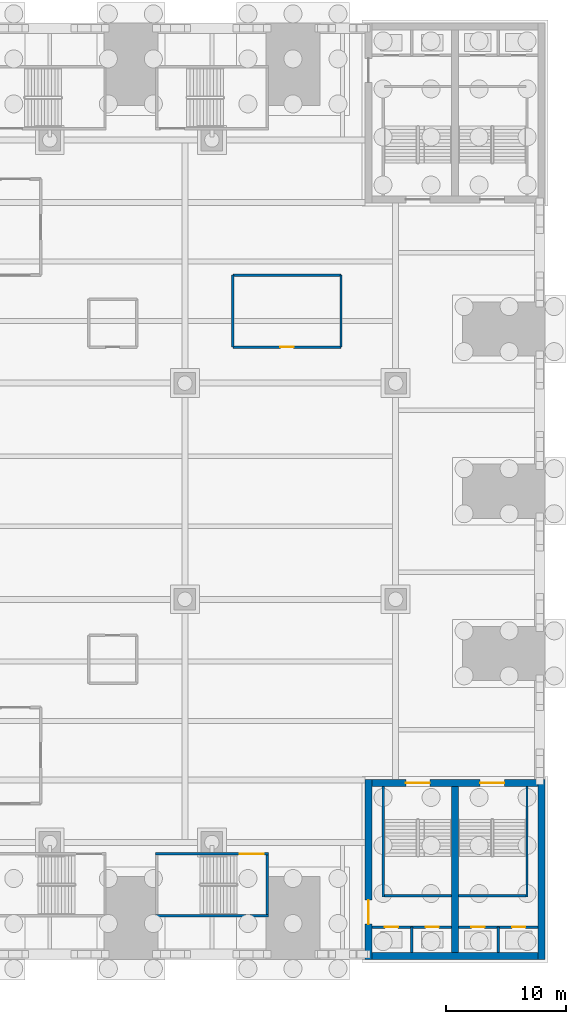
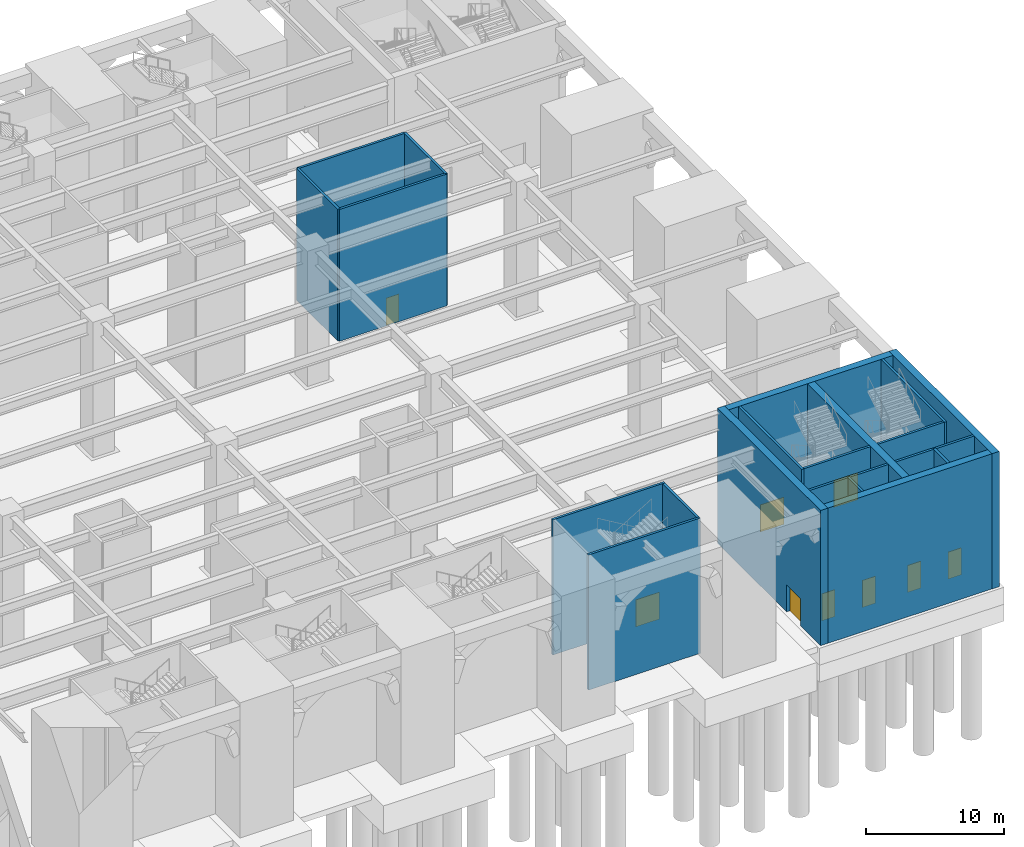
# One storey, part 9 of 34: 20 walls, 9 doors, 9 openings.
"""IFC4 building model written with IfcOpenShell, lengths in metres."""

from ifc_helpers import new_model, si_unit, direction, frame, frame_2d, origin, place, context, subcontext, project, spatial, rectangle, extrude, material, layer, layer_set, type_object, element, fill, save


model = new_model("IFC4")

# Units and contexts
model_context = context("Model", 3, precision=1e-05, world=origin(), true_north=direction((0.0, 1.0)))
body_context = subcontext(model_context, "Body", "Model", "MODEL_VIEW")
ifc_project = project(units=[si_unit("LENGTHUNIT", "METRE"), si_unit("AREAUNIT", "SQUARE_METRE"), si_unit("VOLUMEUNIT", "CUBIC_METRE"), si_unit("PLANEANGLEUNIT", "RADIAN"), si_unit("MASSUNIT", "GRAM", prefix="KILO")], contexts=[model_context])

# Site, building, storey
site_placement = place(None, origin())
site = spatial("IfcSite", under=ifc_project, at=site_placement, CompositionType="ELEMENT")
building_placement = place(site_placement, origin())
building = spatial("IfcBuilding", under=site, at=building_placement, Name="Corbelhall Arena Tower", CompositionType="ELEMENT")
storey_placement = place(building_placement, origin())
storey = spatial("IfcBuildingStorey", under=building, at=storey_placement, Name="L00", CompositionType="ELEMENT", Elevation=0.0)

# Wall, opening, door
ifc_material_1 = material(Name="Gypsum board on steel studs", Category="steel")
ifc_layer_1 = layer(ifc_material_1, 0.199951171875)
ifc_layer_set_1 = layer_set([ifc_layer_1], Name="AR-ROOM-WALL")
wall_type_1 = type_object("IfcWallType", Name="AR-ROOM-WALL", PredefinedType="PARTITIONING", material=ifc_layer_set_1)
wall_1_placement = place(storey_placement, frame((22.0, 12.0, 0.0), z_axis=(0.0, 0.0, 1.0), x_axis=(1.0, 0.0, 0.0)))
wall_1 = element("IfcWall", 1, at=wall_1_placement, inside=storey, type_object=wall_type_1, Name="Security screening room wall", PredefinedType="PARTITIONING", context=body_context, shape_type="SweptSolid", body=[
    extrude(rectangle(XDim=9.0, YDim=0.199951171875, at=frame_2d((4.5, 0.0))), origin(), (0.0, 0.0, 1.0), 11.699951171875),
])
opening_1_placement = place(wall_1_placement, frame((3.949951171875, 0.0, 0.0)))
opening_1 = element("IfcOpeningElement", 2, at=opening_1_placement, cuts=wall_1, Name="Opening DA0319", PredefinedType="OPENING", context=body_context, shape_type="SweptSolid", body=[
    extrude(rectangle(XDim=1.10009765625, YDim=2.39990234375, at=frame_2d((0.550048828125, 1.199951171875))), frame((0.0, 0.10009765625, 0.0), z_axis=(0.0, -1.0, 0.0), x_axis=(1.0, 0.0, 0.0)), (0.0, 0.0, 1.0), 0.199951171875),
])
ifc_material_2 = material(Name="Timber", Category="wood")
door_type_1 = type_object("IfcDoorType", Name="AR-ROOM-DOOR", OperationType="DOUBLE_DOOR_SINGLE_SWING", PredefinedType="DOOR", material=ifc_material_2)
door_1_placement = place(opening_1_placement, origin())
door_1 = element("IfcDoor", 3, at=door_1_placement, inside=storey, type_object=door_type_1, Name="Security screening room door", OperationType="DOUBLE_DOOR_SINGLE_SWING", OverallHeight=2.39990234375, OverallWidth=1.10009765625, PredefinedType="DOOR", context=body_context, shape_type="SweptSolid", body=[
    extrude(rectangle(XDim=1.10009765625, YDim=2.39990234375, at=frame_2d((0.550048828125, 1.199951171875))), frame((0.0, 0.02490234375, 0.0), z_axis=(0.0, -1.0, 0.0), x_axis=(1.0, 0.0, 0.0)), (0.0, 0.0, 1.0), 0.050048828125),
])
fill(opening_1, door_1)

# Walls
wall_2_placement = place(storey_placement, frame((31.0, 18.0, 0.0), z_axis=(0.0, 0.0, 1.0), x_axis=(-1.0, 0.0, 0.0)))
element("IfcWall", 4, at=wall_2_placement, inside=storey, type_object=wall_type_1, Name="Security screening room wall", PredefinedType="PARTITIONING", context=body_context, shape_type="SweptSolid", body=[
    extrude(rectangle(XDim=9.0, YDim=0.199951171875, at=frame_2d((4.5, 0.0))), origin(), (0.0, 0.0, 1.0), 11.699951171875),
])
for number, where, z_axis, x_axis, name in (
    (5, (22.0, 18.0, 0.0), (0.0, 0.0, 1.0), (0.0, -1.0, 0.0), "Security screening room wall"),
    (6, (31.0, 12.0, 0.0), (0.0, 0.0, 1.0), (0.0, 1.0, 0.0), "Security screening room wall"),
):
    element("IfcWall", number, at=place(storey_placement, frame(where, z_axis=z_axis, x_axis=x_axis)), inside=storey, type_object=wall_type_1, Name=name, PredefinedType="PARTITIONING", context=body_context, shape_type="SweptSolid", body=[
        extrude(rectangle(XDim=6.0, YDim=0.199951171875, at=frame_2d((3.0, 0.0))), origin(), (0.0, 0.0, 1.0), 11.699951171875),
    ])

# Wall, openings, doors
ifc_material_3 = material(Name="Reinforced concrete C40/50", Category="concrete")
ifc_layer_2 = layer(ifc_material_3, 0.199951171875)
ifc_layer_set_2 = layer_set([ifc_layer_2], Name="AR-SHAFT-WALL")
wall_type_2 = type_object("IfcWallType", Name="AR-SHAFT-WALL", PredefinedType="SHEAR", material=ifc_layer_set_2)
wall_3_placement = place(storey_placement, frame((33.60009765625, -36.300048828125, 0.0), z_axis=(0.0, 0.0, 1.0), x_axis=(1.0, 0.0, 0.0)))
wall_3 = element("IfcWall", 7, at=wall_3_placement, inside=storey, type_object=wall_type_2, Name="Lift lobby wall SE", PredefinedType="SHEAR", context=body_context, shape_type="SweptSolid", body=[
    extrude(rectangle(XDim=6.599853515625, YDim=0.199951171875, at=frame_2d((3.2998046875, 0.0))), origin(), (0.0, 0.0, 1.0), 12.0),
])
opening_2_placement = place(wall_3_placement, frame((1.050048828125, 0.0, 0.0)))
opening_2 = element("IfcOpeningElement", 8, at=opening_2_placement, cuts=wall_3, Name="Opening LD0205", PredefinedType="OPENING", context=body_context, shape_type="SweptSolid", body=[
    extrude(rectangle(XDim=1.10009765625, YDim=2.39990234375, at=frame_2d((0.550048828125, 1.199951171875))), frame((0.0, 0.10009765625, 0.0), z_axis=(0.0, -1.0, 0.0), x_axis=(1.0, 0.0, 0.0)), (0.0, 0.0, 1.0), 0.199951171875),
])
opening_3_placement = place(wall_3_placement, frame((4.449951171875, 0.0, 0.0)))
opening_3 = element("IfcOpeningElement", 9, at=opening_3_placement, cuts=wall_3, Name="Opening LD0206", PredefinedType="OPENING", context=body_context, shape_type="SweptSolid", body=[
    extrude(rectangle(XDim=1.10009765625, YDim=2.39990234375, at=frame_2d((0.550048828125, 1.199951171875))), frame((0.0, 0.10009765625, 0.0), z_axis=(0.0, -1.0, 0.0), x_axis=(1.0, 0.0, 0.0)), (0.0, 0.0, 1.0), 0.199951171875),
])
ifc_material_4 = material(Name="Stainless steel A4", Category="steel")
door_type_2 = type_object("IfcDoorType", Name="AR-LANDING-DOOR", OperationType="DOUBLE_DOOR_SLIDING", PredefinedType="DOOR", material=ifc_material_4)
door_2_placement = place(opening_2_placement, frame((1.10009765625, 0.0, 0.0), z_axis=(0.0, 0.0, 1.0), x_axis=(-1.0, 0.0, 0.0)))
door_2 = element("IfcDoor", 10, at=door_2_placement, inside=storey, type_object=door_type_2, Name="Landing door SE LF1 L00", OperationType="DOUBLE_DOOR_SLIDING", OverallHeight=2.39990234375, OverallWidth=1.10009765625, PredefinedType="DOOR", context=body_context, shape_type="SweptSolid", body=[
    extrude(rectangle(XDim=1.10009765625, YDim=2.39990234375, at=frame_2d((0.550048828125, 1.199951171875))), frame((0.0, 0.02490234375, 0.0), z_axis=(0.0, -1.0, 0.0), x_axis=(1.0, 0.0, 0.0)), (0.0, 0.0, 1.0), 0.050048828125),
])
fill(opening_2, door_2)
door_3_placement = place(opening_3_placement, frame((1.10009765625, 0.0, 0.0), z_axis=(0.0, 0.0, 1.0), x_axis=(-1.0, 0.0, 0.0)))
door_3 = element("IfcDoor", 11, at=door_3_placement, inside=storey, type_object=door_type_2, Name="Landing door SE LF2 L00", OperationType="DOUBLE_DOOR_SLIDING", OverallHeight=2.39990234375, OverallWidth=1.10009765625, PredefinedType="DOOR", context=body_context, shape_type="SweptSolid", body=[
    extrude(rectangle(XDim=1.10009765625, YDim=2.39990234375, at=frame_2d((0.550048828125, 1.199951171875))), frame((0.0, 0.02490234375, 0.0), z_axis=(0.0, -1.0, 0.0), x_axis=(1.0, 0.0, 0.0)), (0.0, 0.0, 1.0), 0.050048828125),
])
fill(opening_3, door_3)

wall_4_placement = place(storey_placement, frame((40.800048828125, -36.300048828125, 0.0), z_axis=(0.0, 0.0, 1.0), x_axis=(1.0, 0.0, 0.0)))
wall_4 = element("IfcWall", 12, at=wall_4_placement, inside=storey, type_object=wall_type_2, Name="Lift lobby wall SE", PredefinedType="SHEAR", context=body_context, shape_type="SweptSolid", body=[
    extrude(rectangle(XDim=6.599853515625, YDim=0.199951171875, at=frame_2d((3.2998046875, 0.0))), origin(), (0.0, 0.0, 1.0), 12.0),
])
opening_4_placement = place(wall_4_placement, frame((1.050048828125, 0.0, 0.0)))
opening_4 = element("IfcOpeningElement", 13, at=opening_4_placement, cuts=wall_4, Name="Opening LD0207", PredefinedType="OPENING", context=body_context, shape_type="SweptSolid", body=[
    extrude(rectangle(XDim=1.10009765625, YDim=2.39990234375, at=frame_2d((0.550048828125, 1.199951171875))), frame((0.0, 0.10009765625, 0.0), z_axis=(0.0, -1.0, 0.0), x_axis=(1.0, 0.0, 0.0)), (0.0, 0.0, 1.0), 0.199951171875),
])
opening_5_placement = place(wall_4_placement, frame((4.449951171875, 0.0, 0.0)))
opening_5 = element("IfcOpeningElement", 14, at=opening_5_placement, cuts=wall_4, Name="Opening LD0208", PredefinedType="OPENING", context=body_context, shape_type="SweptSolid", body=[
    extrude(rectangle(XDim=1.10009765625, YDim=2.39990234375, at=frame_2d((0.550048828125, 1.199951171875))), frame((0.0, 0.10009765625, 0.0), z_axis=(0.0, -1.0, 0.0), x_axis=(1.0, 0.0, 0.0)), (0.0, 0.0, 1.0), 0.199951171875),
])
door_4_placement = place(opening_4_placement, frame((1.10009765625, 0.0, 0.0), z_axis=(0.0, 0.0, 1.0), x_axis=(-1.0, 0.0, 0.0)))
door_4 = element("IfcDoor", 15, at=door_4_placement, inside=storey, type_object=door_type_2, Name="Landing door SE LF3 L00", OperationType="DOUBLE_DOOR_SLIDING", OverallHeight=2.39990234375, OverallWidth=1.10009765625, PredefinedType="DOOR", context=body_context, shape_type="SweptSolid", body=[
    extrude(rectangle(XDim=1.10009765625, YDim=2.39990234375, at=frame_2d((0.550048828125, 1.199951171875))), frame((0.0, 0.02490234375, 0.0), z_axis=(0.0, -1.0, 0.0), x_axis=(1.0, 0.0, 0.0)), (0.0, 0.0, 1.0), 0.050048828125),
])
fill(opening_4, door_4)
door_5_placement = place(opening_5_placement, frame((1.10009765625, 0.0, 0.0), z_axis=(0.0, 0.0, 1.0), x_axis=(-1.0, 0.0, 0.0)))
door_5 = element("IfcDoor", 16, at=door_5_placement, inside=storey, type_object=door_type_2, Name="Landing door SE LF4 L00", OperationType="DOUBLE_DOOR_SLIDING", OverallHeight=2.39990234375, OverallWidth=1.10009765625, PredefinedType="DOOR", context=body_context, shape_type="SweptSolid", body=[
    extrude(rectangle(XDim=1.10009765625, YDim=2.39990234375, at=frame_2d((0.550048828125, 1.199951171875))), frame((0.0, 0.02490234375, 0.0), z_axis=(0.0, -1.0, 0.0), x_axis=(1.0, 0.0, 0.0)), (0.0, 0.0, 1.0), 0.050048828125),
])
fill(opening_5, door_5)

# Walls
for number, where, z_axis, x_axis, name in (
    (17, (36.89990234375, -38.39990234375, 0.0), (0.0, 0.0, 1.0), (0.0, 1.0, 0.0), "Shaft wall SE"),
    (18, (44.10009765625, -38.39990234375, 0.0), (0.0, 0.0, 1.0), (0.0, 1.0, 0.0), "Shaft wall SE"),
):
    element("IfcWall", number, at=place(storey_placement, frame(where, z_axis=z_axis, x_axis=x_axis)), inside=storey, type_object=wall_type_2, Name=name, PredefinedType="SHEAR", context=body_context, shape_type="SweptSolid", body=[
        extrude(rectangle(XDim=2.099853515625, YDim=0.199951171875, at=frame_2d((1.0498046875, 0.0))), origin(), (0.0, 0.0, 1.0), 12.0),
    ])

# Wall, opening, door
ifc_layer_3 = layer(ifc_material_3, 0.199951171875)
ifc_layer_set_3 = layer_set([ifc_layer_3], Name="AR-STAIR-WALL")
wall_type_3 = type_object("IfcWallType", Name="AR-STAIR-WALL", PredefinedType="SOLIDWALL", material=ifc_layer_set_3)
wall_5_placement = place(storey_placement, frame((15.550048828125, -30.199951171875, 0.0), z_axis=(0.0, 0.0, 1.0), x_axis=(1.0, 0.0, 0.0)))
wall_5 = element("IfcWall", 19, at=wall_5_placement, inside=storey, type_object=wall_type_3, Name="Stair AS16 wall", PredefinedType="SOLIDWALL", context=body_context, shape_type="SweptSolid", body=[
    extrude(rectangle(XDim=9.39990234375, YDim=0.199951171875, at=frame_2d((4.699951171875, 0.0))), origin(), (0.0, 0.0, 1.0), 12.0),
])
opening_6_placement = place(wall_5_placement, frame((7.0, 0.0, 0.0)))
opening_6 = element("IfcOpeningElement", 20, at=opening_6_placement, cuts=wall_5, Name="Opening DA0043", PredefinedType="OPENING", context=body_context, shape_type="SweptSolid", body=[
    extrude(rectangle(XDim=2.0, YDim=2.39990234375, at=frame_2d((1.0, 1.199951171875))), frame((0.0, 0.10009765625, 0.0), z_axis=(0.0, -1.0, 0.0), x_axis=(1.0, 0.0, 0.0)), (0.0, 0.0, 1.0), 0.199951171875),
])
ifc_material_5 = material(Name="Steel and glass", Category="steel")
door_type_3 = type_object("IfcDoorType", Name="AR-EXIT-DOOR", OperationType="DOUBLE_DOOR_SINGLE_SWING", PredefinedType="DOOR", material=ifc_material_5)
door_6_placement = place(opening_6_placement, origin())
door_6 = element("IfcDoor", 21, at=door_6_placement, inside=storey, type_object=door_type_3, Name="Stair AS16 door", OperationType="DOUBLE_DOOR_SINGLE_SWING", OverallHeight=2.39990234375, OverallWidth=2.0, PredefinedType="DOOR", context=body_context, shape_type="SweptSolid", body=[
    extrude(rectangle(XDim=2.0, YDim=2.39990234375, at=frame_2d((1.0, 1.199951171875))), frame((0.0, 0.02490234375, 0.0), z_axis=(0.0, -1.0, 0.0), x_axis=(1.0, 0.0, 0.0)), (0.0, 0.0, 1.0), 0.050048828125),
])
fill(opening_6, door_6)

# Walls
wall_6_placement = place(storey_placement, frame((15.550048828125, -35.35009765625, 0.0), z_axis=(0.0, 0.0, 1.0), x_axis=(1.0, 0.0, 0.0)))
element("IfcWall", 22, at=wall_6_placement, inside=storey, type_object=wall_type_3, Name="Stair AS16 wall", PredefinedType="SOLIDWALL", context=body_context, shape_type="SweptSolid", body=[
    extrude(rectangle(XDim=9.39990234375, YDim=0.199951171875, at=frame_2d((4.699951171875, 0.0))), origin(), (0.0, 0.0, 1.0), 12.0),
])
wall_7_placement = place(storey_placement, frame((24.85009765625, -35.25, 0.0), z_axis=(0.0, 0.0, 1.0), x_axis=(0.0, 1.0, 0.0)))
element("IfcWall", 23, at=wall_7_placement, inside=storey, type_object=wall_type_3, Name="Stair AS16 wall", PredefinedType="SOLIDWALL", context=body_context, shape_type="SweptSolid", body=[
    extrude(rectangle(XDim=4.949951171875, YDim=0.199951171875, at=frame_2d((2.47509765625, 0.0))), origin(), (0.0, 0.0, 1.0), 12.0),
])
wall_8_placement = place(storey_placement, frame((34.510009765625, -33.800048828125, 0.0), z_axis=(0.0, 0.0, 1.0), x_axis=(0.0, 1.0, 0.0)))
element("IfcWall", 24, at=wall_8_placement, inside=storey, type_object=wall_type_3, Name="Stair AS5 wall", PredefinedType="SOLIDWALL", context=body_context, shape_type="SweptSolid", body=[
    extrude(rectangle(XDim=9.199951171875, YDim=0.199951171875, at=frame_2d((4.60009765625, 0.0))), origin(), (0.0, 0.0, 1.0), 12.0),
])
wall_9_placement = place(storey_placement, frame((34.610107421875, -33.699951171875, 0.0), z_axis=(0.0, 0.0, 1.0), x_axis=(1.0, 0.0, 0.0)))
element("IfcWall", 25, at=wall_9_placement, inside=storey, type_object=wall_type_3, Name="Stair AS5 wall", PredefinedType="SOLIDWALL", context=body_context, shape_type="SweptSolid", body=[
    extrude(rectangle(XDim=5.58984375, YDim=0.199951171875, at=frame_2d((2.794921875, 0.0))), origin(), (0.0, 0.0, 1.0), 12.0),
])
wall_10_placement = place(storey_placement, frame((46.489990234375, -33.800048828125, 0.0), z_axis=(0.0, 0.0, 1.0), x_axis=(0.0, 1.0, 0.0)))
element("IfcWall", 26, at=wall_10_placement, inside=storey, type_object=wall_type_3, Name="Stair AS6 wall", PredefinedType="SOLIDWALL", context=body_context, shape_type="SweptSolid", body=[
    extrude(rectangle(XDim=9.199951171875, YDim=0.199951171875, at=frame_2d((4.60009765625, 0.0))), origin(), (0.0, 0.0, 1.0), 12.0),
])
wall_11_placement = place(storey_placement, frame((40.800048828125, -33.699951171875, 0.0), z_axis=(0.0, 0.0, 1.0), x_axis=(1.0, 0.0, 0.0)))
element("IfcWall", 27, at=wall_11_placement, inside=storey, type_object=wall_type_3, Name="Stair AS6 wall", PredefinedType="SOLIDWALL", context=body_context, shape_type="SweptSolid", body=[
    extrude(rectangle(XDim=5.58984375, YDim=0.199951171875, at=frame_2d((2.794921875, 0.0))), origin(), (0.0, 0.0, 1.0), 12.0),
])

# Wall, openings, doors
ifc_material_6 = material(Name="Concrete C80/95", Category="concrete")
ifc_layer_4 = layer(ifc_material_6, 0.60009765625)
ifc_layer_set_4 = layer_set([ifc_layer_4], Name="PO-CORE-WALL")
wall_type_4 = type_object("IfcWallType", Name="PO-CORE-WALL", PredefinedType="SHEAR", material=ifc_layer_set_4)
wall_12_placement = place(storey_placement, frame((33.60009765625, -24.300048828125, 0.0), z_axis=(0.0, 0.0, 1.0), x_axis=(1.0, 0.0, 0.0)))
wall_12 = element("IfcWall", 28, at=wall_12_placement, inside=storey, type_object=wall_type_4, Name="CORE SE WALL N L00", PredefinedType="SHEAR", context=body_context, shape_type="SweptSolid", body=[
    extrude(rectangle(XDim=13.7998046875, YDim=0.60009765625, at=frame_2d((6.89990234375, 0.0))), origin(), (0.0, 0.0, 1.0), 12.0),
])
opening_7_placement = place(wall_12_placement, frame((2.804931640625, 0.0, 0.0)))
opening_7 = element("IfcOpeningElement", 29, at=opening_7_placement, cuts=wall_12, Name="Opening DA0085", PredefinedType="OPENING", context=body_context, shape_type="SweptSolid", body=[
    extrude(rectangle(XDim=2.0, YDim=2.39990234375, at=frame_2d((1.0, 1.199951171875))), frame((0.0, 0.300048828125, 0.0), z_axis=(0.0, -1.0, 0.0), x_axis=(1.0, 0.0, 0.0)), (0.0, 0.0, 1.0), 0.60009765625),
])
opening_8_placement = place(wall_12_placement, frame((8.9951171875, 0.0, 0.0)))
opening_8 = element("IfcOpeningElement", 30, at=opening_8_placement, cuts=wall_12, Name="Opening DA0093", PredefinedType="OPENING", context=body_context, shape_type="SweptSolid", body=[
    extrude(rectangle(XDim=2.0, YDim=2.39990234375, at=frame_2d((1.0, 1.199951171875))), frame((0.0, 0.300048828125, 0.0), z_axis=(0.0, -1.0, 0.0), x_axis=(1.0, 0.0, 0.0)), (0.0, 0.0, 1.0), 0.60009765625),
])
door_7_placement = place(opening_7_placement, origin())
door_7 = element("IfcDoor", 31, at=door_7_placement, inside=storey, type_object=door_type_3, Name="Stair AS5 door", OperationType="DOUBLE_DOOR_SINGLE_SWING", OverallHeight=2.39990234375, OverallWidth=2.0, PredefinedType="DOOR", context=body_context, shape_type="SweptSolid", body=[
    extrude(rectangle(XDim=2.0, YDim=2.39990234375, at=frame_2d((1.0, 1.199951171875))), frame((0.0, 0.02490234375, 0.0), z_axis=(0.0, -1.0, 0.0), x_axis=(1.0, 0.0, 0.0)), (0.0, 0.0, 1.0), 0.050048828125),
])
fill(opening_7, door_7)
door_8_placement = place(opening_8_placement, origin())
door_8 = element("IfcDoor", 32, at=door_8_placement, inside=storey, type_object=door_type_3, Name="Stair AS6 door", OperationType="DOUBLE_DOOR_SINGLE_SWING", OverallHeight=2.39990234375, OverallWidth=2.0, PredefinedType="DOOR", context=body_context, shape_type="SweptSolid", body=[
    extrude(rectangle(XDim=2.0, YDim=2.39990234375, at=frame_2d((1.0, 1.199951171875))), frame((0.0, 0.02490234375, 0.0), z_axis=(0.0, -1.0, 0.0), x_axis=(1.0, 0.0, 0.0)), (0.0, 0.0, 1.0), 0.050048828125),
])
fill(opening_8, door_8)

# Wall
wall_13_placement = place(storey_placement, frame((33.60009765625, -38.699951171875, 0.0), z_axis=(0.0, 0.0, 1.0), x_axis=(1.0, 0.0, 0.0)))
element("IfcWall", 33, at=wall_13_placement, inside=storey, type_object=wall_type_4, Name="CORE SE WALL S L00", PredefinedType="SHEAR", context=body_context, shape_type="SweptSolid", body=[
    extrude(rectangle(XDim=13.7998046875, YDim=0.60009765625, at=frame_2d((6.89990234375, 0.0))), origin(), (0.0, 0.0, 1.0), 12.0),
])

# Wall, opening, door
wall_14_placement = place(storey_placement, frame((33.300048828125, -39.0, 0.0), z_axis=(0.0, 0.0, 1.0), x_axis=(0.0, 1.0, 0.0)))
wall_14 = element("IfcWall", 34, at=wall_14_placement, inside=storey, type_object=wall_type_4, Name="CORE SE WALL W L00", PredefinedType="SHEAR", context=body_context, shape_type="SweptSolid", body=[
    extrude(rectangle(XDim=15.0, YDim=0.60009765625, at=frame_2d((7.5, 0.0))), origin(), (0.0, 0.0, 1.0), 12.0),
])
opening_9_placement = place(wall_14_placement, frame((2.949951171875, 0.0, 0.0)))
opening_9 = element("IfcOpeningElement", 35, at=opening_9_placement, cuts=wall_14, Name="Opening DA0209", PredefinedType="OPENING", context=body_context, shape_type="SweptSolid", body=[
    extrude(rectangle(XDim=2.0, YDim=2.39990234375, at=frame_2d((1.0, 1.199951171875))), frame((0.0, 0.300048828125, 0.0), z_axis=(0.0, -1.0, 0.0), x_axis=(1.0, 0.0, 0.0)), (0.0, 0.0, 1.0), 0.60009765625),
])
door_type_4 = type_object("IfcDoorType", Name="AR-CORE-DOOR", OperationType="DOUBLE_DOOR_SINGLE_SWING", PredefinedType="DOOR", material=ifc_material_5)
door_9_placement = place(opening_9_placement, origin())
door_9 = element("IfcDoor", 36, at=door_9_placement, inside=storey, type_object=door_type_4, Name="Core lobby door SE L00", OperationType="DOUBLE_DOOR_SINGLE_SWING", OverallHeight=2.39990234375, OverallWidth=2.0, PredefinedType="DOOR", context=body_context, shape_type="SweptSolid", body=[
    extrude(rectangle(XDim=2.0, YDim=2.39990234375, at=frame_2d((1.0, 1.199951171875))), frame((0.0, 0.02490234375, 0.0), z_axis=(0.0, -1.0, 0.0), x_axis=(1.0, 0.0, 0.0)), (0.0, 0.0, 1.0), 0.050048828125),
])
fill(opening_9, door_9)

# Walls
wall_15_placement = place(storey_placement, frame((47.699951171875, -39.0, 0.0), z_axis=(0.0, 0.0, 1.0), x_axis=(0.0, 1.0, 0.0)))
element("IfcWall", 37, at=wall_15_placement, inside=storey, type_object=wall_type_4, Name="CORE SE WALL E L00", PredefinedType="SHEAR", context=body_context, shape_type="SweptSolid", body=[
    extrude(rectangle(XDim=15.0, YDim=0.60009765625, at=frame_2d((7.5, 0.0))), origin(), (0.0, 0.0, 1.0), 12.0),
])
wall_16_placement = place(storey_placement, frame((40.5, -38.39990234375, 0.0), z_axis=(0.0, 0.0, 1.0), x_axis=(0.0, 1.0, 0.0)))
element("IfcWall", 38, at=wall_16_placement, inside=storey, type_object=wall_type_4, Name="CORE SE WALL D L00", PredefinedType="SHEAR", context=body_context, shape_type="SweptSolid", body=[
    extrude(rectangle(XDim=13.7998046875, YDim=0.60009765625, at=frame_2d((6.89990234375, 0.0))), origin(), (0.0, 0.0, 1.0), 12.0),
])

save(model, "model.ifc")
